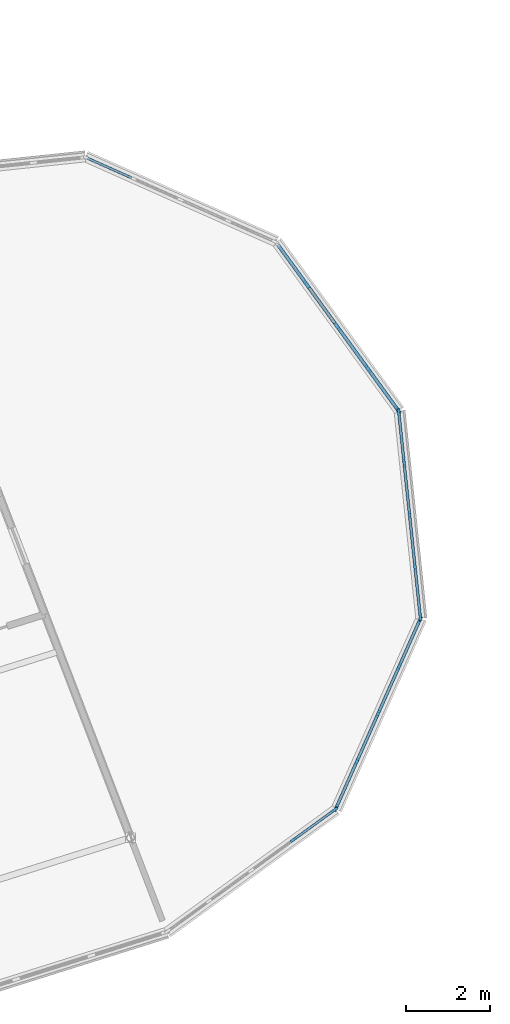
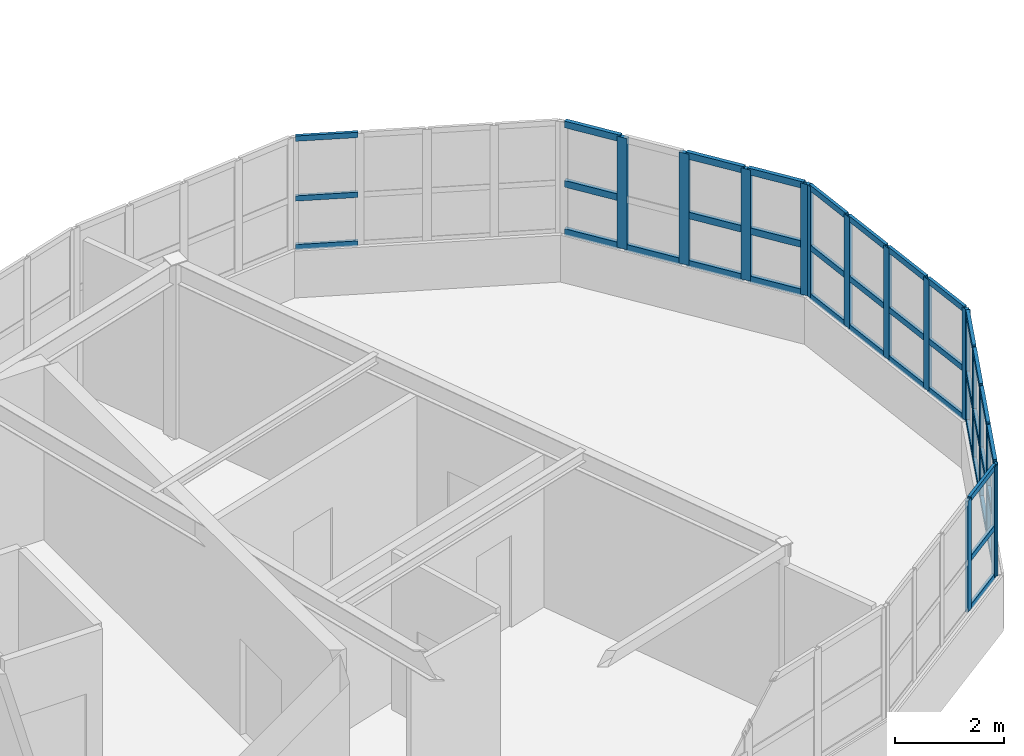
# One storey, part 23 of 60: 56 members, 5 elements without a shape of their own.
"""IFC4 building model written with IfcOpenShell, lengths in metres."""

from ifc_helpers import new_model, si_unit, direction, frame, origin, origin_2d, place, context, subcontext, project, spatial, rectangle, extrude, material, layer, layer_set, material_profile, profile_set, type_object, element, aggregate, save


model = new_model("IFC4")

# Units and contexts
model_context = context("Model", 3, precision=1e-05, world=origin(), true_north=direction((0.0, 1.0)))
body_context = subcontext(model_context, "Body", "Model", "MODEL_VIEW")
ifc_project = project(units=[si_unit("LENGTHUNIT", "METRE"), si_unit("AREAUNIT", "SQUARE_METRE"), si_unit("VOLUMEUNIT", "CUBIC_METRE"), si_unit("PLANEANGLEUNIT", "RADIAN"), si_unit("MASSUNIT", "GRAM", prefix="KILO")], contexts=[model_context])

# Site, building, storey
site_placement = place(None, origin())
site = spatial("IfcSite", under=ifc_project, at=site_placement, CompositionType="ELEMENT")
building_placement = place(site_placement, origin())
building = spatial("IfcBuilding", under=site, at=building_placement, Name="Tarnwether General Hospital", CompositionType="ELEMENT")
storey_placement = place(building_placement, frame((0.0, 0.0, 26.10009765625)))
storey = spatial("IfcBuildingStorey", under=building, at=storey_placement, Name="L06", CompositionType="ELEMENT", Elevation=26.10009765625)

# Curtain wall, members
ifc_material_1 = material(Name="Anodised aluminium", Category="aluminium")
ifc_layer = layer(ifc_material_1, 0.159912109375)
ifc_layer_set = layer_set([ifc_layer], Name="Anodised aluminium")
curtain_wall_type = type_object("IfcCurtainWallType", Name="CW-03", PredefinedType="NOTDEFINED", material=ifc_layer_set)
curtain_wall_1_placement = place(storey_placement, origin())
curtain_wall_1 = element("IfcCurtainWall", 1, at=curtain_wall_1_placement, inside=storey, type_object=curtain_wall_type, Name="Curtain Wall CWG-L06-1181_84-0253", PredefinedType="NOTDEFINED")
ifc_material_2 = material(Name="Anodised aluminium", Category="aluminium")
ifc_material_profile_1 = material_profile(ifc_material_2, rectangle(XDim=0.06005859375, YDim=0.159912109375, at=origin_2d()), Name="ALU-MUL-60x160")
ifc_profile_set_1 = profile_set([ifc_material_profile_1], Name="Anodised aluminium")
member_type_1 = type_object("IfcMemberType", Name="CW-ML1", PredefinedType="MULLION", material=ifc_profile_set_1)
member_1_placement = place(storey_placement, frame((118.07177734375, 8.394287109375, 1.0498046875), z_axis=(0.0, 0.0, 1.0), x_axis=(0.587728951677, -0.809057896173, 0.0)))
member_1 = element("IfcMember", 2, at=member_1_placement, type_object=member_type_1, Name="CW-03 mullion 1", PredefinedType="MULLION", context=body_context, shape_type="SweptSolid", body=[
    extrude(rectangle(XDim=0.06005859375, YDim=0.159912109375, at=origin_2d()), origin(), (0.0, 0.0, 1.0), 2.4951171875),
])
member_2_placement = place(storey_placement, frame((117.0908203125, 7.681640625, 1.0498046875), z_axis=(0.0, 0.0, 1.0), x_axis=(0.587728951677, -0.809057896173, 0.0)))
member_2 = element("IfcMember", 3, at=member_2_placement, type_object=member_type_1, Name="CW-03 mullion 2", PredefinedType="MULLION", context=body_context, shape_type="SweptSolid", body=[
    extrude(rectangle(XDim=0.06005859375, YDim=0.159912109375, at=origin_2d()), origin(), (0.0, 0.0, 1.0), 2.4951171875),
])

curtain_wall_2_placement = place(storey_placement, origin())
curtain_wall_2 = element("IfcCurtainWall", 4, at=curtain_wall_2_placement, inside=storey, type_object=curtain_wall_type, Name="Curtain Wall CWG-L06-1201_130-0254", PredefinedType="NOTDEFINED")
ifc_material_3 = material(Name="Anodised aluminium", Category="aluminium")
ifc_material_profile_2 = material_profile(ifc_material_3, rectangle(XDim=0.070068359375, YDim=0.179931640625, at=origin_2d()), Name="ALU-MUL-70x180")
ifc_profile_set_2 = profile_set([ifc_material_profile_2], Name="Anodised aluminium")
member_type_2 = type_object("IfcMemberType", Name="CW-ML2", PredefinedType="MULLION", material=ifc_profile_set_2)
member_3_placement = place(storey_placement, frame((120.102783203125, 12.919921875, 1.0498046875), z_axis=(0.0, 0.0, 1.0), x_axis=(0.913570745572, -0.406679840705, 0.0)))
member_3 = element("IfcMember", 5, at=member_3_placement, type_object=member_type_2, Name="CW-03 mullion 1", PredefinedType="MULLION", context=body_context, shape_type="SweptSolid", body=[
    extrude(rectangle(XDim=0.070068359375, YDim=0.179931640625, at=origin_2d()), origin(), (0.0, 0.0, 1.0), 2.4951171875),
])
member_4_placement = place(storey_placement, frame((119.61181640625, 11.81689453125, 1.0498046875), z_axis=(0.0, 0.0, 1.0), x_axis=(0.913570745572, -0.406679840705, 0.0)))
member_4 = element("IfcMember", 6, at=member_4_placement, type_object=member_type_2, Name="CW-03 mullion 2", PredefinedType="MULLION", context=body_context, shape_type="SweptSolid", body=[
    extrude(rectangle(XDim=0.070068359375, YDim=0.179931640625, at=origin_2d()), origin(), (0.0, 0.0, 1.0), 2.4951171875),
])
member_5_placement = place(storey_placement, frame((119.1064453125, 10.681884765625, 1.0498046875), z_axis=(0.0, 0.0, 1.0), x_axis=(0.913570745572, -0.406679840705, 0.0)))
member_5 = element("IfcMember", 7, at=member_5_placement, type_object=member_type_2, Name="CW-03 mullion 3", PredefinedType="MULLION", context=body_context, shape_type="SweptSolid", body=[
    extrude(rectangle(XDim=0.070068359375, YDim=0.179931640625, at=origin_2d()), origin(), (0.0, 0.0, 1.0), 2.4951171875),
])
member_6_placement = place(storey_placement, frame((118.601318359375, 9.547119140625, 1.0498046875), z_axis=(0.0, 0.0, 1.0), x_axis=(0.913570745572, -0.406679840705, 0.0)))
member_6 = element("IfcMember", 8, at=member_6_placement, type_object=member_type_2, Name="CW-03 mullion 4", PredefinedType="MULLION", context=body_context, shape_type="SweptSolid", body=[
    extrude(rectangle(XDim=0.070068359375, YDim=0.179931640625, at=origin_2d()), origin(), (0.0, 0.0, 1.0), 2.4951171875),
])
member_7_placement = place(storey_placement, frame((118.1103515625, 8.444091796875, 1.0498046875), z_axis=(0.0, 0.0, 1.0), x_axis=(0.913570745572, -0.406679840705, 0.0)))
member_7 = element("IfcMember", 9, at=member_7_placement, type_object=member_type_2, Name="CW-03 mullion 5", PredefinedType="MULLION", context=body_context, shape_type="SweptSolid", body=[
    extrude(rectangle(XDim=0.070068359375, YDim=0.179931640625, at=origin_2d()), origin(), (0.0, 0.0, 1.0), 2.4951171875),
])

curtain_wall_3_placement = place(storey_placement, origin())
curtain_wall_3 = element("IfcCurtainWall", 10, at=curtain_wall_3_placement, inside=storey, type_object=curtain_wall_type, Name="Curtain Wall CWG-L06-1196_179-0255", PredefinedType="NOTDEFINED")
ifc_material_4 = material(Name="Anodised aluminium", Category="aluminium")
ifc_material_profile_3 = material_profile(ifc_material_4, rectangle(XDim=0.06494140625, YDim=0.169921875, at=origin_2d()), Name="ALU-MUL-65x170")
ifc_profile_set_3 = profile_set([ifc_material_profile_3], Name="Anodised aluminium")
member_type_3 = type_object("IfcMemberType", Name="CW-ML3", PredefinedType="MULLION", material=ifc_profile_set_3)
member_8_placement = place(storey_placement, frame((119.601318359375, 17.861572265625, 1.0498046875), z_axis=(0.0, 0.0, 1.0), x_axis=(0.994530785557, 0.10444384414, 0.0)))
member_8 = element("IfcMember", 11, at=member_8_placement, type_object=member_type_3, Name="CW-03 mullion 1", PredefinedType="MULLION", context=body_context, shape_type="SweptSolid", body=[
    extrude(rectangle(XDim=0.06494140625, YDim=0.169921875, at=origin_2d()), origin(), (0.0, 0.0, 1.0), 2.4951171875),
])
member_9_placement = place(storey_placement, frame((119.727783203125, 16.658447265625, 1.0498046875), z_axis=(0.0, 0.0, 1.0), x_axis=(0.994530785557, 0.10444384414, 0.0)))
member_9 = element("IfcMember", 12, at=member_9_placement, type_object=member_type_3, Name="CW-03 mullion 2", PredefinedType="MULLION", context=body_context, shape_type="SweptSolid", body=[
    extrude(rectangle(XDim=0.06494140625, YDim=0.169921875, at=origin_2d()), origin(), (0.0, 0.0, 1.0), 2.4951171875),
])
member_10_placement = place(storey_placement, frame((119.857421875, 15.423095703125, 1.0498046875), z_axis=(0.0, 0.0, 1.0), x_axis=(0.994530785557, 0.10444384414, 0.0)))
member_10 = element("IfcMember", 13, at=member_10_placement, type_object=member_type_3, Name="CW-03 mullion 3", PredefinedType="MULLION", context=body_context, shape_type="SweptSolid", body=[
    extrude(rectangle(XDim=0.06494140625, YDim=0.169921875, at=origin_2d()), origin(), (0.0, 0.0, 1.0), 2.4951171875),
])
member_11_placement = place(storey_placement, frame((119.9873046875, 14.1875, 1.0498046875), z_axis=(0.0, 0.0, 1.0), x_axis=(0.994530785557, 0.10444384414, 0.0)))
member_11 = element("IfcMember", 14, at=member_11_placement, type_object=member_type_3, Name="CW-03 mullion 4", PredefinedType="MULLION", context=body_context, shape_type="SweptSolid", body=[
    extrude(rectangle(XDim=0.06494140625, YDim=0.169921875, at=origin_2d()), origin(), (0.0, 0.0, 1.0), 2.4951171875),
])
member_12_placement = place(storey_placement, frame((120.113525390625, 12.984375, 1.0498046875), z_axis=(0.0, 0.0, 1.0), x_axis=(0.994530785557, 0.10444384414, 0.0)))
member_12 = element("IfcMember", 15, at=member_12_placement, type_object=member_type_3, Name="CW-03 mullion 5", PredefinedType="MULLION", context=body_context, shape_type="SweptSolid", body=[
    extrude(rectangle(XDim=0.06494140625, YDim=0.169921875, at=origin_2d()), origin(), (0.0, 0.0, 1.0), 2.4951171875),
])

curtain_wall_4_placement = place(storey_placement, origin())
curtain_wall_4 = element("IfcCurtainWall", 16, at=curtain_wall_4_placement, inside=storey, type_object=curtain_wall_type, Name="Curtain Wall CWG-L06-1167_219-0256", PredefinedType="NOTDEFINED")
ifc_material_5 = material(Name="Anodised aluminium", Category="aluminium")
ifc_material_profile_4 = material_profile(ifc_material_5, rectangle(XDim=0.080078125, YDim=0.199951171875, at=origin_2d()), Name="ALU-MUL-80x200")
ifc_profile_set_4 = profile_set([ifc_material_profile_4], Name="Anodised aluminium")
member_type_4 = type_object("IfcMemberType", Name="CW-ML4", PredefinedType="MULLION", material=ifc_profile_set_4)
member_13_placement = place(storey_placement, frame((117.4072265625, 20.908935546875, 1.0498046875), z_axis=(0.0, 0.0, 1.0), x_axis=(0.808988376814, 0.587824638969, 0.0)))
member_13 = element("IfcMember", 17, at=member_13_placement, type_object=member_type_4, Name="CW-03 mullion 2", PredefinedType="MULLION", context=body_context, shape_type="SweptSolid", body=[
    extrude(rectangle(XDim=0.080078125, YDim=0.199951171875, at=origin_2d()), origin(), (0.0, 0.0, 1.0), 2.4951171875),
])
member_14_placement = place(storey_placement, frame((118.137451171875, 19.904052734375, 1.0498046875), z_axis=(0.0, 0.0, 1.0), x_axis=(0.808988376814, 0.587824638969, 0.0)))
member_14 = element("IfcMember", 18, at=member_14_placement, type_object=member_type_4, Name="CW-03 mullion 3", PredefinedType="MULLION", context=body_context, shape_type="SweptSolid", body=[
    extrude(rectangle(XDim=0.080078125, YDim=0.199951171875, at=origin_2d()), origin(), (0.0, 0.0, 1.0), 2.4951171875),
])
member_15_placement = place(storey_placement, frame((118.86767578125, 18.89892578125, 1.0498046875), z_axis=(0.0, 0.0, 1.0), x_axis=(0.808988376814, 0.587824638969, 0.0)))
member_15 = element("IfcMember", 19, at=member_15_placement, type_object=member_type_4, Name="CW-03 mullion 4", PredefinedType="MULLION", context=body_context, shape_type="SweptSolid", body=[
    extrude(rectangle(XDim=0.080078125, YDim=0.199951171875, at=origin_2d()), origin(), (0.0, 0.0, 1.0), 2.4951171875),
])
member_16_placement = place(storey_placement, frame((119.574462890625, 17.92626953125, 1.0498046875), z_axis=(0.0, 0.0, 1.0), x_axis=(0.808988376814, 0.587824638969, 0.0)))
member_16 = element("IfcMember", 20, at=member_16_placement, type_object=member_type_4, Name="CW-03 mullion 5", PredefinedType="MULLION", context=body_context, shape_type="SweptSolid", body=[
    extrude(rectangle(XDim=0.080078125, YDim=0.199951171875, at=origin_2d()), origin(), (0.0, 0.0, 1.0), 2.4951171875),
])

# Member
ifc_material_6 = material(Name="Anodised aluminium", Category="aluminium")
ifc_material_profile_5 = material_profile(ifc_material_6, rectangle(XDim=0.06005859375, YDim=0.1201171875, at=origin_2d()), Name="ALU-TRN-60x120")
ifc_profile_set_5 = profile_set([ifc_material_profile_5], Name="Anodised aluminium")
member_type_5 = type_object("IfcMemberType", Name="CW-TR1", PredefinedType="USERDEFINED", material=ifc_profile_set_5)
member_17_placement = place(storey_placement, frame((118.04736328125, 8.376708984375, 1.079833984375), z_axis=(-0.809084076166, -0.587692911046, 0.0), x_axis=(0.587692911046, -0.809084076166, 0.0)))
member_17 = element("IfcMember", 21, at=member_17_placement, type_object=member_type_5, Name="CW-03 transom 1.1", ObjectType="TRANSOM", PredefinedType="USERDEFINED", context=body_context, shape_type="SweptSolid", body=[
    extrude(rectangle(XDim=0.06005859375, YDim=0.1201171875, at=origin_2d()), origin(), (0.0, 0.0, 1.0), 1.15234375),
])

member_18_placement = place(storey_placement, frame((118.04736328125, 8.376708984375, 2.172607421875), z_axis=(-0.809084076166, -0.587692911046, 0.0), x_axis=(0.587692911046, -0.809084076166, 0.0)))
member_18 = element("IfcMember", 22, at=member_18_placement, type_object=member_type_5, Name="CW-03 transom 1.2", ObjectType="TRANSOM", PredefinedType="USERDEFINED", context=body_context, shape_type="SweptSolid", body=[
    extrude(rectangle(XDim=0.06005859375, YDim=0.1201171875, at=origin_2d()), origin(), (0.0, 0.0, 1.0), 1.15234375),
])

member_19_placement = place(storey_placement, frame((118.04736328125, 8.376708984375, 3.514892578125), z_axis=(-0.809084076166, -0.587692911046, 0.0), x_axis=(0.587692911046, -0.809084076166, 0.0)))
member_19 = element("IfcMember", 23, at=member_19_placement, type_object=member_type_5, Name="CW-03 transom 1.3", ObjectType="TRANSOM", PredefinedType="USERDEFINED", context=body_context, shape_type="SweptSolid", body=[
    extrude(rectangle(XDim=0.06005859375, YDim=0.1201171875, at=origin_2d()), origin(), (0.0, 0.0, 1.0), 1.15234375),
])

aggregate(curtain_wall_1, [member_1, member_2, member_17, member_18, member_19])

# Curtain wall, members
curtain_wall_5_placement = place(storey_placement, origin())
curtain_wall_5 = element("IfcCurtainWall", 24, at=curtain_wall_5_placement, inside=storey, type_object=curtain_wall_type, Name="Curtain Wall CWG-L06-1121_239-0257", PredefinedType="NOTDEFINED")
member_20_placement = place(storey_placement, frame((112.19189453125, 23.91162109375, 1.079833984375), z_axis=(0.913453031223, -0.406944172769, 0.0), x_axis=(0.406944172769, 0.913453031223, 0.0)))
member_20 = element("IfcMember", 25, at=member_20_placement, type_object=member_type_5, Name="CW-03 transom 1.1", ObjectType="TRANSOM", PredefinedType="USERDEFINED", context=body_context, shape_type="SweptSolid", body=[
    extrude(rectangle(XDim=0.06005859375, YDim=0.1201171875, at=origin_2d()), origin(), (0.0, 0.0, 1.0), 1.152587890625),
])
member_21_placement = place(storey_placement, frame((112.19189453125, 23.91162109375, 2.172607421875), z_axis=(0.913453031223, -0.406944172769, 0.0), x_axis=(0.406944172769, 0.913453031223, 0.0)))
member_21 = element("IfcMember", 26, at=member_21_placement, type_object=member_type_5, Name="CW-03 transom 1.2", ObjectType="TRANSOM", PredefinedType="USERDEFINED", context=body_context, shape_type="SweptSolid", body=[
    extrude(rectangle(XDim=0.06005859375, YDim=0.1201171875, at=origin_2d()), origin(), (0.0, 0.0, 1.0), 1.152587890625),
])
member_22_placement = place(storey_placement, frame((112.19189453125, 23.91162109375, 3.514892578125), z_axis=(0.913453031223, -0.406944172769, 0.0), x_axis=(0.406944172769, 0.913453031223, 0.0)))
member_22 = element("IfcMember", 27, at=member_22_placement, type_object=member_type_5, Name="CW-03 transom 1.3", ObjectType="TRANSOM", PredefinedType="USERDEFINED", context=body_context, shape_type="SweptSolid", body=[
    extrude(rectangle(XDim=0.06005859375, YDim=0.1201171875, at=origin_2d()), origin(), (0.0, 0.0, 1.0), 1.152587890625),
])
aggregate(curtain_wall_5, [member_20, member_21, member_22])

# Member
ifc_material_7 = material(Name="Anodised aluminium", Category="aluminium")
ifc_material_profile_6 = material_profile(ifc_material_7, rectangle(XDim=0.070068359375, YDim=0.139892578125, at=origin_2d()), Name="ALU-TRN-70x140")
ifc_profile_set_6 = profile_set([ifc_material_profile_6], Name="Anodised aluminium")
member_type_6 = type_object("IfcMemberType", Name="CW-TR2", PredefinedType="USERDEFINED", material=ifc_profile_set_6)
member_23_placement = place(storey_placement, frame((120.088623046875, 12.887939453125, 1.0849609375), z_axis=(-0.406755759629, -0.913536946165, 0.0), x_axis=(0.913536946165, -0.406755759629, 0.0)))
member_23 = element("IfcMember", 28, at=member_23_placement, type_object=member_type_6, Name="CW-03 transom 1.1", ObjectType="TRANSOM", PredefinedType="USERDEFINED", context=body_context, shape_type="SweptSolid", body=[
    extrude(rectangle(XDim=0.070068359375, YDim=0.139892578125, at=origin_2d()), origin(), (0.0, 0.0, 1.0), 1.137451171875),
])

member_24_placement = place(storey_placement, frame((120.088623046875, 12.887939453125, 2.172607421875), z_axis=(-0.406755759629, -0.913536946165, 0.0), x_axis=(0.913536946165, -0.406755759629, 0.0)))
member_24 = element("IfcMember", 29, at=member_24_placement, type_object=member_type_6, Name="CW-03 transom 1.2", ObjectType="TRANSOM", PredefinedType="USERDEFINED", context=body_context, shape_type="SweptSolid", body=[
    extrude(rectangle(XDim=0.070068359375, YDim=0.139892578125, at=origin_2d()), origin(), (0.0, 0.0, 1.0), 1.137451171875),
])

member_25_placement = place(storey_placement, frame((120.088623046875, 12.887939453125, 3.510009765625), z_axis=(-0.406755759629, -0.913536946165, 0.0), x_axis=(0.913536946165, -0.406755759629, 0.0)))
member_25 = element("IfcMember", 30, at=member_25_placement, type_object=member_type_6, Name="CW-03 transom 1.3", ObjectType="TRANSOM", PredefinedType="USERDEFINED", context=body_context, shape_type="SweptSolid", body=[
    extrude(rectangle(XDim=0.070068359375, YDim=0.139892578125, at=origin_2d()), origin(), (0.0, 0.0, 1.0), 1.137451171875),
])

member_26_placement = place(storey_placement, frame((119.597412109375, 11.784912109375, 1.0849609375), z_axis=(-0.406524892894, -0.913639705495, 0.0), x_axis=(0.913639705495, -0.406524892894, 0.0)))
member_26 = element("IfcMember", 31, at=member_26_placement, type_object=member_type_6, Name="CW-03 transom 2.1", ObjectType="TRANSOM", PredefinedType="USERDEFINED", context=body_context, shape_type="SweptSolid", body=[
    extrude(rectangle(XDim=0.070068359375, YDim=0.139892578125, at=origin_2d()), origin(), (0.0, 0.0, 1.0), 1.17236328125),
])

member_27_placement = place(storey_placement, frame((119.597412109375, 11.784912109375, 2.172607421875), z_axis=(-0.406524892894, -0.913639705495, 0.0), x_axis=(0.913639705495, -0.406524892894, 0.0)))
member_27 = element("IfcMember", 32, at=member_27_placement, type_object=member_type_6, Name="CW-03 transom 2.2", ObjectType="TRANSOM", PredefinedType="USERDEFINED", context=body_context, shape_type="SweptSolid", body=[
    extrude(rectangle(XDim=0.070068359375, YDim=0.139892578125, at=origin_2d()), origin(), (0.0, 0.0, 1.0), 1.17236328125),
])

member_28_placement = place(storey_placement, frame((119.597412109375, 11.784912109375, 3.510009765625), z_axis=(-0.406524892894, -0.913639705495, 0.0), x_axis=(0.913639705495, -0.406524892894, 0.0)))
member_28 = element("IfcMember", 33, at=member_28_placement, type_object=member_type_6, Name="CW-03 transom 2.3", ObjectType="TRANSOM", PredefinedType="USERDEFINED", context=body_context, shape_type="SweptSolid", body=[
    extrude(rectangle(XDim=0.070068359375, YDim=0.139892578125, at=origin_2d()), origin(), (0.0, 0.0, 1.0), 1.17236328125),
])

member_29_placement = place(storey_placement, frame((119.09228515625, 10.650146484375, 1.0849609375), z_axis=(-0.406621355502, -0.913596778261, 0.0), x_axis=(0.913596778261, -0.406621355502, 0.0)))
member_29 = element("IfcMember", 34, at=member_29_placement, type_object=member_type_6, Name="CW-03 transom 3.1", ObjectType="TRANSOM", PredefinedType="USERDEFINED", context=body_context, shape_type="SweptSolid", body=[
    extrude(rectangle(XDim=0.070068359375, YDim=0.139892578125, at=origin_2d()), origin(), (0.0, 0.0, 1.0), 1.172607421875),
])

member_30_placement = place(storey_placement, frame((119.09228515625, 10.650146484375, 2.172607421875), z_axis=(-0.406621355502, -0.913596778261, 0.0), x_axis=(0.913596778261, -0.406621355502, 0.0)))
member_30 = element("IfcMember", 35, at=member_30_placement, type_object=member_type_6, Name="CW-03 transom 3.2", ObjectType="TRANSOM", PredefinedType="USERDEFINED", context=body_context, shape_type="SweptSolid", body=[
    extrude(rectangle(XDim=0.070068359375, YDim=0.139892578125, at=origin_2d()), origin(), (0.0, 0.0, 1.0), 1.172607421875),
])

member_31_placement = place(storey_placement, frame((119.09228515625, 10.650146484375, 3.510009765625), z_axis=(-0.406621355502, -0.913596778261, 0.0), x_axis=(0.913596778261, -0.406621355502, 0.0)))
member_31 = element("IfcMember", 36, at=member_31_placement, type_object=member_type_6, Name="CW-03 transom 3.3", ObjectType="TRANSOM", PredefinedType="USERDEFINED", context=body_context, shape_type="SweptSolid", body=[
    extrude(rectangle(XDim=0.070068359375, YDim=0.139892578125, at=origin_2d()), origin(), (0.0, 0.0, 1.0), 1.172607421875),
])

member_32_placement = place(storey_placement, frame((118.5869140625, 9.51513671875, 1.0849609375), z_axis=(-0.406496878153, -0.913652170168, 0.0), x_axis=(0.913652170168, -0.406496878153, 0.0)))
member_32 = element("IfcMember", 37, at=member_32_placement, type_object=member_type_6, Name="CW-03 transom 4.1", ObjectType="TRANSOM", PredefinedType="USERDEFINED", context=body_context, shape_type="SweptSolid", body=[
    extrude(rectangle(XDim=0.070068359375, YDim=0.139892578125, at=origin_2d()), origin(), (0.0, 0.0, 1.0), 1.137451171875),
])

member_33_placement = place(storey_placement, frame((118.5869140625, 9.51513671875, 2.172607421875), z_axis=(-0.406496878153, -0.913652170168, 0.0), x_axis=(0.913652170168, -0.406496878153, 0.0)))
member_33 = element("IfcMember", 38, at=member_33_placement, type_object=member_type_6, Name="CW-03 transom 4.2", ObjectType="TRANSOM", PredefinedType="USERDEFINED", context=body_context, shape_type="SweptSolid", body=[
    extrude(rectangle(XDim=0.070068359375, YDim=0.139892578125, at=origin_2d()), origin(), (0.0, 0.0, 1.0), 1.137451171875),
])

member_34_placement = place(storey_placement, frame((118.5869140625, 9.51513671875, 3.510009765625), z_axis=(-0.406496878153, -0.913652170168, 0.0), x_axis=(0.913652170168, -0.406496878153, 0.0)))
member_34 = element("IfcMember", 39, at=member_34_placement, type_object=member_type_6, Name="CW-03 transom 4.3", ObjectType="TRANSOM", PredefinedType="USERDEFINED", context=body_context, shape_type="SweptSolid", body=[
    extrude(rectangle(XDim=0.070068359375, YDim=0.139892578125, at=origin_2d()), origin(), (0.0, 0.0, 1.0), 1.137451171875),
])

aggregate(curtain_wall_2, [member_3, member_4, member_5, member_6, member_7, member_23, member_24, member_25, member_26, member_27, member_28, member_29, member_30, member_31, member_32, member_33, member_34])

ifc_material_8 = material(Name="Anodised aluminium", Category="aluminium")
ifc_material_profile_7 = material_profile(ifc_material_8, rectangle(XDim=0.06494140625, YDim=0.1298828125, at=origin_2d()), Name="ALU-TRN-65x130")
ifc_profile_set_7 = profile_set([ifc_material_profile_7], Name="Anodised aluminium")
member_type_7 = type_object("IfcMemberType", Name="CW-TR3", PredefinedType="USERDEFINED", material=ifc_profile_set_7)
member_35_placement = place(storey_placement, frame((119.604736328125, 17.829345703125, 1.08251953125), z_axis=(0.104507146993, -0.994524135568, 0.0), x_axis=(0.994524135568, 0.104507146993, 0.0)))
member_35 = element("IfcMember", 40, at=member_35_placement, type_object=member_type_7, Name="CW-03 transom 1.1", ObjectType="TRANSOM", PredefinedType="USERDEFINED", context=body_context, shape_type="SweptSolid", body=[
    extrude(rectangle(XDim=0.06494140625, YDim=0.1298828125, at=origin_2d()), origin(), (0.0, 0.0, 1.0), 1.144775390625),
])

member_36_placement = place(storey_placement, frame((119.604736328125, 17.829345703125, 2.172607421875), z_axis=(0.104507146993, -0.994524135568, 0.0), x_axis=(0.994524135568, 0.104507146993, 0.0)))
member_36 = element("IfcMember", 41, at=member_36_placement, type_object=member_type_7, Name="CW-03 transom 1.2", ObjectType="TRANSOM", PredefinedType="USERDEFINED", context=body_context, shape_type="SweptSolid", body=[
    extrude(rectangle(XDim=0.06494140625, YDim=0.1298828125, at=origin_2d()), origin(), (0.0, 0.0, 1.0), 1.144775390625),
])

member_37_placement = place(storey_placement, frame((119.604736328125, 17.829345703125, 3.512451171875), z_axis=(0.104507146993, -0.994524135568, 0.0), x_axis=(0.994524135568, 0.104507146993, 0.0)))
member_37 = element("IfcMember", 42, at=member_37_placement, type_object=member_type_7, Name="CW-03 transom 1.3", ObjectType="TRANSOM", PredefinedType="USERDEFINED", context=body_context, shape_type="SweptSolid", body=[
    extrude(rectangle(XDim=0.06494140625, YDim=0.1298828125, at=origin_2d()), origin(), (0.0, 0.0, 1.0), 1.144775390625),
])

member_38_placement = place(storey_placement, frame((119.731201171875, 16.626220703125, 1.08251953125), z_axis=(0.104306966388, -0.994545150691, 0.0), x_axis=(0.994545150691, 0.104306966388, 0.0)))
member_38 = element("IfcMember", 43, at=member_38_placement, type_object=member_type_7, Name="CW-03 transom 2.1", ObjectType="TRANSOM", PredefinedType="USERDEFINED", context=body_context, shape_type="SweptSolid", body=[
    extrude(rectangle(XDim=0.06494140625, YDim=0.1298828125, at=origin_2d()), origin(), (0.0, 0.0, 1.0), 1.17724609375),
])

member_39_placement = place(storey_placement, frame((119.731201171875, 16.626220703125, 2.172607421875), z_axis=(0.104306966388, -0.994545150691, 0.0), x_axis=(0.994545150691, 0.104306966388, 0.0)))
member_39 = element("IfcMember", 44, at=member_39_placement, type_object=member_type_7, Name="CW-03 transom 2.2", ObjectType="TRANSOM", PredefinedType="USERDEFINED", context=body_context, shape_type="SweptSolid", body=[
    extrude(rectangle(XDim=0.06494140625, YDim=0.1298828125, at=origin_2d()), origin(), (0.0, 0.0, 1.0), 1.17724609375),
])

member_40_placement = place(storey_placement, frame((119.731201171875, 16.626220703125, 3.512451171875), z_axis=(0.104306966388, -0.994545150691, 0.0), x_axis=(0.994545150691, 0.104306966388, 0.0)))
member_40 = element("IfcMember", 45, at=member_40_placement, type_object=member_type_7, Name="CW-03 transom 2.3", ObjectType="TRANSOM", PredefinedType="USERDEFINED", context=body_context, shape_type="SweptSolid", body=[
    extrude(rectangle(XDim=0.06494140625, YDim=0.1298828125, at=origin_2d()), origin(), (0.0, 0.0, 1.0), 1.17724609375),
])

member_41_placement = place(storey_placement, frame((119.86083984375, 15.390625, 1.08251953125), z_axis=(0.104512073273, -0.99452361789, 0.0), x_axis=(0.99452361789, 0.104512073273, 0.0)))
member_41 = element("IfcMember", 46, at=member_41_placement, type_object=member_type_7, Name="CW-03 transom 3.1", ObjectType="TRANSOM", PredefinedType="USERDEFINED", context=body_context, shape_type="SweptSolid", body=[
    extrude(rectangle(XDim=0.06494140625, YDim=0.1298828125, at=origin_2d()), origin(), (0.0, 0.0, 1.0), 1.17724609375),
])

member_42_placement = place(storey_placement, frame((119.86083984375, 15.390625, 2.172607421875), z_axis=(0.104512073273, -0.99452361789, 0.0), x_axis=(0.99452361789, 0.104512073273, 0.0)))
member_42 = element("IfcMember", 47, at=member_42_placement, type_object=member_type_7, Name="CW-03 transom 3.2", ObjectType="TRANSOM", PredefinedType="USERDEFINED", context=body_context, shape_type="SweptSolid", body=[
    extrude(rectangle(XDim=0.06494140625, YDim=0.1298828125, at=origin_2d()), origin(), (0.0, 0.0, 1.0), 1.17724609375),
])

member_43_placement = place(storey_placement, frame((119.86083984375, 15.390625, 3.512451171875), z_axis=(0.104512073273, -0.99452361789, 0.0), x_axis=(0.99452361789, 0.104512073273, 0.0)))
member_43 = element("IfcMember", 48, at=member_43_placement, type_object=member_type_7, Name="CW-03 transom 3.3", ObjectType="TRANSOM", PredefinedType="USERDEFINED", context=body_context, shape_type="SweptSolid", body=[
    extrude(rectangle(XDim=0.06494140625, YDim=0.1298828125, at=origin_2d()), origin(), (0.0, 0.0, 1.0), 1.17724609375),
])

member_44_placement = place(storey_placement, frame((119.99072265625, 14.1552734375, 1.08251953125), z_axis=(0.104274070649, -0.994548600215, 0.0), x_axis=(0.994548600215, 0.104274070649, 0.0)))
member_44 = element("IfcMember", 49, at=member_44_placement, type_object=member_type_7, Name="CW-03 transom 4.1", ObjectType="TRANSOM", PredefinedType="USERDEFINED", context=body_context, shape_type="SweptSolid", body=[
    extrude(rectangle(XDim=0.06494140625, YDim=0.1298828125, at=origin_2d()), origin(), (0.0, 0.0, 1.0), 1.14501953125),
])

member_45_placement = place(storey_placement, frame((119.99072265625, 14.1552734375, 2.172607421875), z_axis=(0.104274070649, -0.994548600215, 0.0), x_axis=(0.994548600215, 0.104274070649, 0.0)))
member_45 = element("IfcMember", 50, at=member_45_placement, type_object=member_type_7, Name="CW-03 transom 4.2", ObjectType="TRANSOM", PredefinedType="USERDEFINED", context=body_context, shape_type="SweptSolid", body=[
    extrude(rectangle(XDim=0.06494140625, YDim=0.1298828125, at=origin_2d()), origin(), (0.0, 0.0, 1.0), 1.14501953125),
])

member_46_placement = place(storey_placement, frame((119.99072265625, 14.1552734375, 3.512451171875), z_axis=(0.104274070649, -0.994548600215, 0.0), x_axis=(0.994548600215, 0.104274070649, 0.0)))
member_46 = element("IfcMember", 51, at=member_46_placement, type_object=member_type_7, Name="CW-03 transom 4.3", ObjectType="TRANSOM", PredefinedType="USERDEFINED", context=body_context, shape_type="SweptSolid", body=[
    extrude(rectangle(XDim=0.06494140625, YDim=0.1298828125, at=origin_2d()), origin(), (0.0, 0.0, 1.0), 1.14501953125),
])

aggregate(curtain_wall_3, [member_8, member_9, member_10, member_11, member_12, member_35, member_36, member_37, member_38, member_39, member_40, member_41, member_42, member_43, member_44, member_45, member_46])

ifc_material_9 = material(Name="Anodised aluminium", Category="aluminium")
ifc_material_profile_8 = material_profile(ifc_material_9, rectangle(XDim=0.080078125, YDim=0.14990234375, at=origin_2d()), Name="ALU-TRN-80x150")
ifc_profile_set_8 = profile_set([ifc_material_profile_8], Name="Anodised aluminium")
member_type_8 = type_object("IfcMemberType", Name="CW-TR4", PredefinedType="USERDEFINED", material=ifc_profile_set_8)
member_47_placement = place(storey_placement, frame((116.72412109375, 21.849365234375, 1.08984375), z_axis=(0.587783591911, -0.80901820071, 0.0), x_axis=(0.80901820071, 0.587783591911, 0.0)))
member_47 = element("IfcMember", 52, at=member_47_placement, type_object=member_type_8, Name="CW-03 transom 1.1", ObjectType="TRANSOM", PredefinedType="USERDEFINED", context=body_context, shape_type="SweptSolid", body=[
    extrude(rectangle(XDim=0.080078125, YDim=0.14990234375, at=origin_2d()), origin(), (0.0, 0.0, 1.0), 1.122314453125),
])

member_48_placement = place(storey_placement, frame((116.72412109375, 21.849365234375, 2.172607421875), z_axis=(0.587783591911, -0.80901820071, 0.0), x_axis=(0.80901820071, 0.587783591911, 0.0)))
member_48 = element("IfcMember", 53, at=member_48_placement, type_object=member_type_8, Name="CW-03 transom 1.2", ObjectType="TRANSOM", PredefinedType="USERDEFINED", context=body_context, shape_type="SweptSolid", body=[
    extrude(rectangle(XDim=0.080078125, YDim=0.14990234375, at=origin_2d()), origin(), (0.0, 0.0, 1.0), 1.122314453125),
])

member_49_placement = place(storey_placement, frame((116.72412109375, 21.849365234375, 3.5048828125), z_axis=(0.587783591911, -0.80901820071, 0.0), x_axis=(0.80901820071, 0.587783591911, 0.0)))
member_49 = element("IfcMember", 54, at=member_49_placement, type_object=member_type_8, Name="CW-03 transom 1.3", ObjectType="TRANSOM", PredefinedType="USERDEFINED", context=body_context, shape_type="SweptSolid", body=[
    extrude(rectangle(XDim=0.080078125, YDim=0.14990234375, at=origin_2d()), origin(), (0.0, 0.0, 1.0), 1.122314453125),
])

member_50_placement = place(storey_placement, frame((117.4306640625, 20.876708984375, 1.08984375), z_axis=(0.587834485911, -0.808981221768, 0.0), x_axis=(0.808981221768, 0.587834485911, 0.0)))
member_50 = element("IfcMember", 55, at=member_50_placement, type_object=member_type_8, Name="CW-03 transom 2.1", ObjectType="TRANSOM", PredefinedType="USERDEFINED", context=body_context, shape_type="SweptSolid", body=[
    extrude(rectangle(XDim=0.080078125, YDim=0.14990234375, at=origin_2d()), origin(), (0.0, 0.0, 1.0), 1.16259765625),
])

member_51_placement = place(storey_placement, frame((118.1611328125, 19.87158203125, 1.08984375), z_axis=(0.587796901661, -0.809008530485, 0.0), x_axis=(0.809008530485, 0.587796901661, 0.0)))
member_51 = element("IfcMember", 56, at=member_51_placement, type_object=member_type_8, Name="CW-03 transom 3.1", ObjectType="TRANSOM", PredefinedType="USERDEFINED", context=body_context, shape_type="SweptSolid", body=[
    extrude(rectangle(XDim=0.080078125, YDim=0.14990234375, at=origin_2d()), origin(), (0.0, 0.0, 1.0), 1.162109375),
])

member_52_placement = place(storey_placement, frame((118.1611328125, 19.87158203125, 2.172607421875), z_axis=(0.587796901661, -0.809008530485, 0.0), x_axis=(0.809008530485, 0.587796901661, 0.0)))
member_52 = element("IfcMember", 57, at=member_52_placement, type_object=member_type_8, Name="CW-03 transom 3.2", ObjectType="TRANSOM", PredefinedType="USERDEFINED", context=body_context, shape_type="SweptSolid", body=[
    extrude(rectangle(XDim=0.080078125, YDim=0.14990234375, at=origin_2d()), origin(), (0.0, 0.0, 1.0), 1.162109375),
])

member_53_placement = place(storey_placement, frame((118.1611328125, 19.87158203125, 3.5048828125), z_axis=(0.587796901661, -0.809008530485, 0.0), x_axis=(0.809008530485, 0.587796901661, 0.0)))
member_53 = element("IfcMember", 58, at=member_53_placement, type_object=member_type_8, Name="CW-03 transom 3.3", ObjectType="TRANSOM", PredefinedType="USERDEFINED", context=body_context, shape_type="SweptSolid", body=[
    extrude(rectangle(XDim=0.080078125, YDim=0.14990234375, at=origin_2d()), origin(), (0.0, 0.0, 1.0), 1.162109375),
])

member_54_placement = place(storey_placement, frame((118.891357421875, 18.86669921875, 1.08984375), z_axis=(0.587783591911, -0.80901820071, 0.0), x_axis=(0.80901820071, 0.587783591911, 0.0)))
member_54 = element("IfcMember", 59, at=member_54_placement, type_object=member_type_8, Name="CW-03 transom 4.1", ObjectType="TRANSOM", PredefinedType="USERDEFINED", context=body_context, shape_type="SweptSolid", body=[
    extrude(rectangle(XDim=0.080078125, YDim=0.14990234375, at=origin_2d()), origin(), (0.0, 0.0, 1.0), 1.122314453125),
])

member_55_placement = place(storey_placement, frame((118.891357421875, 18.86669921875, 2.172607421875), z_axis=(0.587783591911, -0.80901820071, 0.0), x_axis=(0.80901820071, 0.587783591911, 0.0)))
member_55 = element("IfcMember", 60, at=member_55_placement, type_object=member_type_8, Name="CW-03 transom 4.2", ObjectType="TRANSOM", PredefinedType="USERDEFINED", context=body_context, shape_type="SweptSolid", body=[
    extrude(rectangle(XDim=0.080078125, YDim=0.14990234375, at=origin_2d()), origin(), (0.0, 0.0, 1.0), 1.122314453125),
])

member_56_placement = place(storey_placement, frame((118.891357421875, 18.86669921875, 3.5048828125), z_axis=(0.587783591911, -0.80901820071, 0.0), x_axis=(0.80901820071, 0.587783591911, 0.0)))
member_56 = element("IfcMember", 61, at=member_56_placement, type_object=member_type_8, Name="CW-03 transom 4.3", ObjectType="TRANSOM", PredefinedType="USERDEFINED", context=body_context, shape_type="SweptSolid", body=[
    extrude(rectangle(XDim=0.080078125, YDim=0.14990234375, at=origin_2d()), origin(), (0.0, 0.0, 1.0), 1.122314453125),
])

aggregate(curtain_wall_4, [member_13, member_14, member_15, member_16, member_47, member_48, member_49, member_50, member_51, member_52, member_53, member_54, member_55, member_56])

save(model, "model.ifc")
